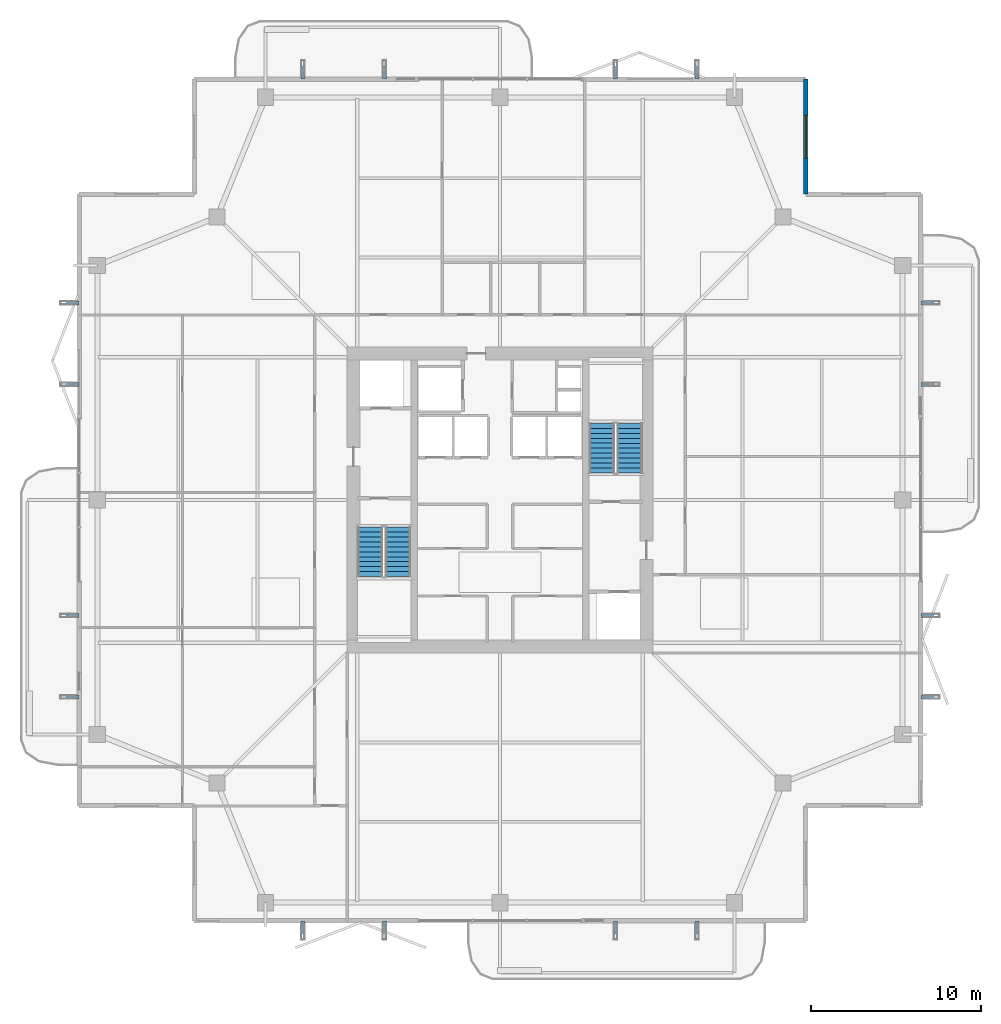
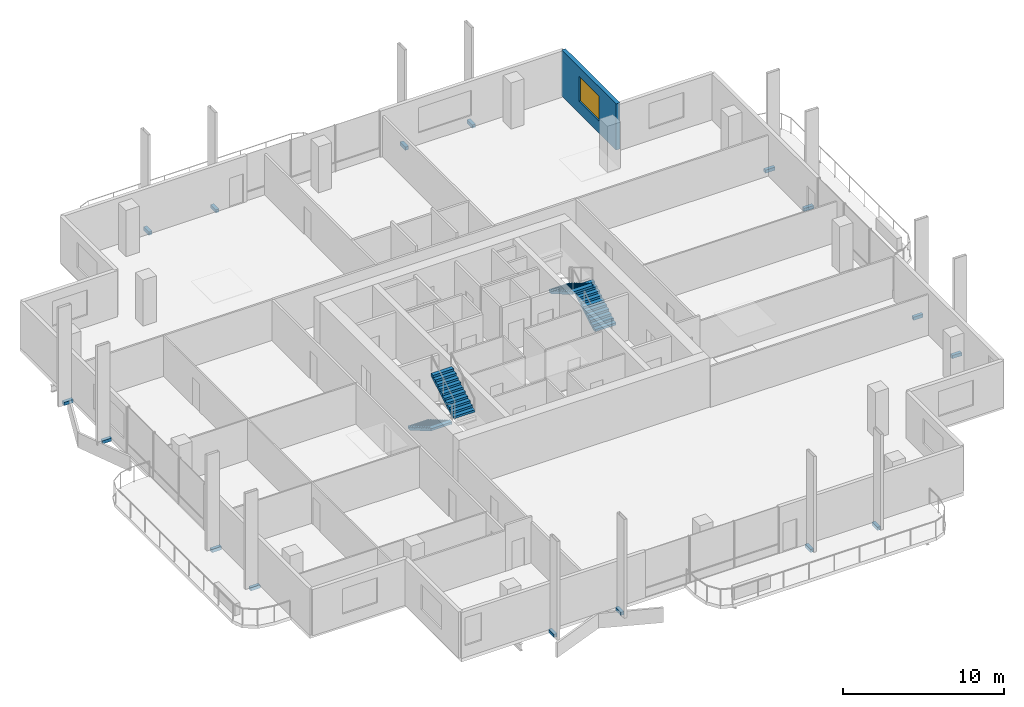
# One storey, part 21 of 25: 16 discrete accessories, 4 stair flights, 1 wall, 1 window, 1 opening, 2 elements without a shape of their own.
"""IFC4 building model written with IfcOpenShell, lengths in metres."""

from ifc_helpers import new_model, si_unit, direction, frame, frame_2d, origin, origin_2d, place, context, subcontext, project, spatial, polyline, rectangle, outline, extrude, material, layer, layer_set, type_object, element, fill, aggregate, save


model = new_model("IFC4")

# Units and contexts
model_context = context("Model", 3, precision=1e-05, world=origin(), true_north=direction((0.0, 1.0)))
body_context = subcontext(model_context, "Body", "Model", "MODEL_VIEW")
ifc_project = project(units=[si_unit("LENGTHUNIT", "METRE"), si_unit("AREAUNIT", "SQUARE_METRE"), si_unit("VOLUMEUNIT", "CUBIC_METRE"), si_unit("PLANEANGLEUNIT", "RADIAN"), si_unit("MASSUNIT", "GRAM", prefix="KILO")], contexts=[model_context])

# Site, building, storey
site_placement = place(None, origin())
site = spatial("IfcSite", under=ifc_project, at=site_placement, CompositionType="ELEMENT")
building_placement = place(site_placement, origin())
building = spatial("IfcBuilding", under=site, at=building_placement, Name="Belovzor Exchange Tower", CompositionType="ELEMENT")
storey_placement = place(building_placement, frame((0.0, 0.0, 272.85009765625)))
storey = spatial("IfcBuildingStorey", under=building, at=storey_placement, Name="L68", CompositionType="ELEMENT", Elevation=272.85009765625)

# Wall, opening, window
ifc_material_1 = material(Name="Precast concrete C40/50", Category="concrete")
ifc_layer_1 = layer(ifc_material_1, 0.280029296875)
ifc_layer_set_1 = layer_set([ifc_layer_1], Name="Precast concrete C40/50")
wall_type = type_object("IfcWallType", Name="Precast Concrete Notched Corner Frame Wall 280", PredefinedType="SOLIDWALL", material=ifc_layer_set_1)
wall_placement = place(storey_placement, frame((46.800048828125, 53.570068359375, 0.0), z_axis=(0.0, 0.0, 1.0), x_axis=(0.0, -1.0, 0.0)))
wall = element("IfcWall", 1, at=wall_placement, inside=storey, type_object=wall_type, Name="W-CRN280 Precast Concrete Notched Corner Frame Wall 280 L68", PredefinedType="SOLIDWALL", context=body_context, shape_type="SweptSolid", body=[
    extrude(rectangle(XDim=6.77001953125, YDim=0.280029296875, at=frame_2d((3.385009765625, 0.0))), origin(), (0.0, 0.0, 1.0), 3.5),
])
opening_placement = place(wall_placement, frame((2.135009765625, 0.0, 0.89990234375)))
opening = element("IfcOpeningElement", 2, at=opening_placement, cuts=wall, Name="Opening WN-CRN250", PredefinedType="OPENING", context=body_context, shape_type="SweptSolid", body=[
    extrude(rectangle(XDim=2.5, YDim=1.89990234375, at=frame_2d((1.25, 0.949951171875))), frame((0.0, 0.14990234375, 0.0), z_axis=(0.0, -1.0, 0.0), x_axis=(1.0, 0.0, 0.0)), (0.0, 0.0, 1.0), 0.300048828125),
])
ifc_material_2 = material(Name="Thermally Broken Aluminium and Triple Glazing", Category="aluminium")
window_type = type_object("IfcWindowType", Name="Streamline Moderne Corner Wrap Ribbon Window 2500x1900", PartitioningType="SINGLE_PANEL", PredefinedType="WINDOW", material=ifc_material_2)
window_placement = place(opening_placement, origin())
window = element("IfcWindow", 3, at=window_placement, inside=storey, type_object=window_type, Name="WN-CRN250 Streamline Moderne Corner Wrap Ribbon Window 2500x1900", OverallHeight=1.89990234375, OverallWidth=2.5, PartitioningType="SINGLE_PANEL", PredefinedType="WINDOW", context=body_context, shape_type="SweptSolid", body=[
    extrude(rectangle(XDim=2.5, YDim=1.89990234375, at=frame_2d((1.25, 0.949951171875))), frame((0.0, 0.030029296875, 0.0), z_axis=(0.0, -1.0, 0.0), x_axis=(1.0, 0.0, 0.0)), (0.0, 0.0, 1.0), 0.06005859375),
])
fill(opening, window)

# Stair, stair flights
ifc_material_3 = material(Name="Concrete C40/50", Category="concrete")
stair_type = type_object("IfcStairType", Name="Reinforced Concrete Dogleg Escape Stair 1350", PredefinedType="HALF_TURN_STAIR", material=ifc_material_3)
stair_1_placement = place(storey_placement, origin())
stair_1 = element("IfcStair", 4, at=stair_1_placement, inside=storey, type_object=stair_type, Name="L68 ST-1", PredefinedType="HALF_TURN_STAIR")
ifc_material_4 = material(Name="Concrete C40/50", Category="concrete")
stair_flight_type = type_object("IfcStairFlightType", Name="Reinforced Concrete Stair Flight 1350", PredefinedType="STRAIGHT", material=ifc_material_4)
stair_flight_1_placement = place(storey_placement, frame((21.14990234375, 27.199951171875, 0.0), z_axis=(0.0, 0.0, 1.0), x_axis=(0.0, -1.0, 0.0)))
stair_flight_1 = element("IfcStairFlight", 5, at=stair_flight_1_placement, type_object=stair_flight_type, Name="ST-1 flight 1", NumberOfRisers=11, NumberOfTreads=10, PredefinedType="STRAIGHT", RiserHeight=0.170454545, TreadLength=0.29, context=body_context, shape_type="SweptSolid", body=[
    extrude(outline(polyline([(0.0, 0.0), (0.0, 0.17041015625), (0.2900390625, 0.17041015625), (0.2900390625, 0.3408203125), (0.580078125, 0.3408203125), (0.580078125, 0.511474609375), (0.8701171875, 0.511474609375), (0.8701171875, 0.681884765625), (1.159912109375, 0.681884765625), (1.159912109375, 0.852294921875), (1.449951171875, 0.852294921875), (1.449951171875, 1.022705078125), (1.739990234375, 1.022705078125), (1.739990234375, 1.193115234375), (2.030029296875, 1.193115234375), (2.030029296875, 1.363525390625), (2.320068359375, 1.363525390625), (2.320068359375, 1.5341796875), (2.610107421875, 1.5341796875), (2.610107421875, 1.70458984375), (2.89990234375, 1.70458984375), (2.89990234375, 1.875), (2.89990234375, 1.53076171875), (0.2958984375, 0.0), (0.0, 0.0)])), frame((0.0, 0.75, 0.0), z_axis=(0.0, -1.0, 0.0), x_axis=(1.0, 0.0, 0.0)), (0.0, 0.0, 1.0), 1.5),
])
stair_flight_2_placement = place(storey_placement, frame((22.800048828125, 24.300048828125, 1.875), z_axis=(0.0, 0.0, 1.0), x_axis=(0.0, 1.0, 0.0)))
stair_flight_2 = element("IfcStairFlight", 6, at=stair_flight_2_placement, type_object=stair_flight_type, Name="ST-1 flight 2", NumberOfRisers=11, NumberOfTreads=10, PredefinedType="STRAIGHT", RiserHeight=0.170454545, TreadLength=0.29, context=body_context, shape_type="SweptSolid", body=[
    extrude(outline(polyline([(0.0, 0.0), (0.0, 0.17041015625), (0.2900390625, 0.17041015625), (0.2900390625, 0.3408203125), (0.580078125, 0.3408203125), (0.580078125, 0.511474609375), (0.8701171875, 0.511474609375), (0.8701171875, 0.681884765625), (1.159912109375, 0.681884765625), (1.159912109375, 0.852294921875), (1.449951171875, 0.852294921875), (1.449951171875, 1.022705078125), (1.739990234375, 1.022705078125), (1.739990234375, 1.193115234375), (2.030029296875, 1.193115234375), (2.030029296875, 1.363525390625), (2.320068359375, 1.363525390625), (2.320068359375, 1.5341796875), (2.610107421875, 1.5341796875), (2.610107421875, 1.70458984375), (2.89990234375, 1.70458984375), (2.89990234375, 1.875), (2.89990234375, 1.53076171875), (0.2958984375, 0.0), (0.0, 0.0)])), frame((0.0, 0.75, 0.0), z_axis=(0.0, -1.0, 0.0), x_axis=(1.0, 0.0, 0.0)), (0.0, 0.0, 1.0), 1.5),
])
aggregate(stair_1, [stair_flight_1, stair_flight_2])

stair_2_placement = place(storey_placement, origin())
stair_2 = element("IfcStair", 7, at=stair_2_placement, inside=storey, type_object=stair_type, Name="L68 ST-2", PredefinedType="HALF_TURN_STAIR")
stair_flight_3_placement = place(storey_placement, frame((36.449951171875, 30.39990234375, 0.0), z_axis=(0.0, 0.0, 1.0), x_axis=(0.0, 1.0, 0.0)))
stair_flight_3 = element("IfcStairFlight", 8, at=stair_flight_3_placement, type_object=stair_flight_type, Name="ST-2 flight 1", NumberOfRisers=11, NumberOfTreads=10, PredefinedType="STRAIGHT", RiserHeight=0.170454545, TreadLength=0.29, context=body_context, shape_type="SweptSolid", body=[
    extrude(outline(polyline([(0.0, 0.0), (0.0, 0.17041015625), (0.2900390625, 0.17041015625), (0.2900390625, 0.3408203125), (0.580078125, 0.3408203125), (0.580078125, 0.511474609375), (0.8701171875, 0.511474609375), (0.8701171875, 0.681884765625), (1.159912109375, 0.681884765625), (1.159912109375, 0.852294921875), (1.449951171875, 0.852294921875), (1.449951171875, 1.022705078125), (1.739990234375, 1.022705078125), (1.739990234375, 1.193115234375), (2.030029296875, 1.193115234375), (2.030029296875, 1.363525390625), (2.320068359375, 1.363525390625), (2.320068359375, 1.5341796875), (2.610107421875, 1.5341796875), (2.610107421875, 1.70458984375), (2.89990234375, 1.70458984375), (2.89990234375, 1.875), (2.89990234375, 1.53076171875), (0.2958984375, 0.0), (0.0, 0.0)])), frame((0.0, 0.75, 0.0), z_axis=(0.0, -1.0, 0.0), x_axis=(1.0, 0.0, 0.0)), (0.0, 0.0, 1.0), 1.5),
])
stair_flight_4_placement = place(storey_placement, frame((34.800048828125, 33.300048828125, 1.875), z_axis=(0.0, 0.0, 1.0), x_axis=(0.0, -1.0, 0.0)))
stair_flight_4 = element("IfcStairFlight", 9, at=stair_flight_4_placement, type_object=stair_flight_type, Name="ST-2 flight 2", NumberOfRisers=11, NumberOfTreads=10, PredefinedType="STRAIGHT", RiserHeight=0.170454545, TreadLength=0.29, context=body_context, shape_type="SweptSolid", body=[
    extrude(outline(polyline([(0.0, 0.0), (0.0, 0.17041015625), (0.2900390625, 0.17041015625), (0.2900390625, 0.3408203125), (0.580078125, 0.3408203125), (0.580078125, 0.511474609375), (0.8701171875, 0.511474609375), (0.8701171875, 0.681884765625), (1.159912109375, 0.681884765625), (1.159912109375, 0.852294921875), (1.449951171875, 0.852294921875), (1.449951171875, 1.022705078125), (1.739990234375, 1.022705078125), (1.739990234375, 1.193115234375), (2.030029296875, 1.193115234375), (2.030029296875, 1.363525390625), (2.320068359375, 1.363525390625), (2.320068359375, 1.5341796875), (2.610107421875, 1.5341796875), (2.610107421875, 1.70458984375), (2.89990234375, 1.70458984375), (2.89990234375, 1.875), (2.89990234375, 1.53076171875), (0.2958984375, 0.0), (0.0, 0.0)])), frame((0.0, 0.75, 0.0), z_axis=(0.0, -1.0, 0.0), x_axis=(1.0, 0.0, 0.0)), (0.0, 0.0, 1.0), 1.5),
])
aggregate(stair_2, [stair_flight_3, stair_flight_4])

# Discrete accessories
ifc_material_5 = material(Name="Stainless Steel Grade 316", Category="steel")
ifc_layer_2 = layer(ifc_material_5, 0.179931640625)
ifc_layer_set_2 = layer_set([ifc_layer_2], Name="Stainless Steel Grade 316")
discrete_accessory_type = type_object("IfcDiscreteAccessoryType", Name="Stainless Steel Facade Outrigger Fixing Bracket", PredefinedType="BRACKET", material=ifc_layer_set_2)
for number, where, z_axis, x_axis, name in (
    (10, (17.199951171875, 3.637939453125, -0.2451171875), (0.0, 0.0, 1.0), (0.0, 1.0, 0.0), "BRK-FIN1 Sweeping Fin Outrigger Bracket L68 S1"),
    (11, (17.199951171875, 53.9619140625, -0.2451171875), (0.0, 0.0, 1.0), (0.0, 1.0, 0.0), "BRK-FIN1 Sweeping Fin Outrigger Bracket L68 N1"),
    (12, (3.637939453125, 17.199951171875, -0.2451171875), (0.0, 0.0, 1.0), (1.0, 0.0, 0.0), "BRK-FIN1 Sweeping Fin Outrigger Bracket L68 W1"),
    (13, (53.9619140625, 17.199951171875, -0.2451171875), (0.0, 0.0, 1.0), (1.0, 0.0, 0.0), "BRK-FIN1 Sweeping Fin Outrigger Bracket L68 E1"),
    (14, (22.0, 3.637939453125, -0.2451171875), (0.0, 0.0, 1.0), (0.0, 1.0, 0.0), "BRK-FIN1 Sweeping Fin Outrigger Bracket L68 S2"),
    (15, (22.0, 53.9619140625, -0.2451171875), (0.0, 0.0, 1.0), (0.0, 1.0, 0.0), "BRK-FIN1 Sweeping Fin Outrigger Bracket L68 N2"),
    (16, (3.637939453125, 22.0, -0.2451171875), (0.0, 0.0, 1.0), (1.0, 0.0, 0.0), "BRK-FIN1 Sweeping Fin Outrigger Bracket L68 W2"),
    (17, (53.9619140625, 22.0, -0.2451171875), (0.0, 0.0, 1.0), (1.0, 0.0, 0.0), "BRK-FIN1 Sweeping Fin Outrigger Bracket L68 E2"),
    (18, (35.60009765625, 3.637939453125, -0.2451171875), (0.0, 0.0, 1.0), (0.0, 1.0, 0.0), "BRK-FIN1 Sweeping Fin Outrigger Bracket L68 S3"),
    (19, (35.60009765625, 53.9619140625, -0.2451171875), (0.0, 0.0, 1.0), (0.0, 1.0, 0.0), "BRK-FIN1 Sweeping Fin Outrigger Bracket L68 N3"),
    (20, (3.637939453125, 35.60009765625, -0.2451171875), (0.0, 0.0, 1.0), (1.0, 0.0, 0.0), "BRK-FIN1 Sweeping Fin Outrigger Bracket L68 W3"),
    (21, (53.9619140625, 35.60009765625, -0.2451171875), (0.0, 0.0, 1.0), (1.0, 0.0, 0.0), "BRK-FIN1 Sweeping Fin Outrigger Bracket L68 E3"),
    (22, (40.39990234375, 3.637939453125, -0.2451171875), (0.0, 0.0, 1.0), (0.0, 1.0, 0.0), "BRK-FIN1 Sweeping Fin Outrigger Bracket L68 S4"),
    (23, (40.39990234375, 53.9619140625, -0.2451171875), (0.0, 0.0, 1.0), (0.0, 1.0, 0.0), "BRK-FIN1 Sweeping Fin Outrigger Bracket L68 N4"),
    (24, (3.637939453125, 40.39990234375, -0.2451171875), (0.0, 0.0, 1.0), (1.0, 0.0, 0.0), "BRK-FIN1 Sweeping Fin Outrigger Bracket L68 W4"),
    (25, (53.9619140625, 40.39990234375, -0.2451171875), (0.0, 0.0, 1.0), (1.0, 0.0, 0.0), "BRK-FIN1 Sweeping Fin Outrigger Bracket L68 E4"),
):
    element("IfcDiscreteAccessory", number, at=place(storey_placement, frame(where, z_axis=z_axis, x_axis=x_axis)), inside=storey, type_object=discrete_accessory_type, Name=name, PredefinedType="BRACKET", context=body_context, shape_type="SweptSolid", body=[
        extrude(rectangle(XDim=0.68505859375, YDim=0.239990234375, at=origin_2d()), origin(), (0.0, 0.0, 1.0), 0.239990234375),
    ])

save(model, "model.ifc")
